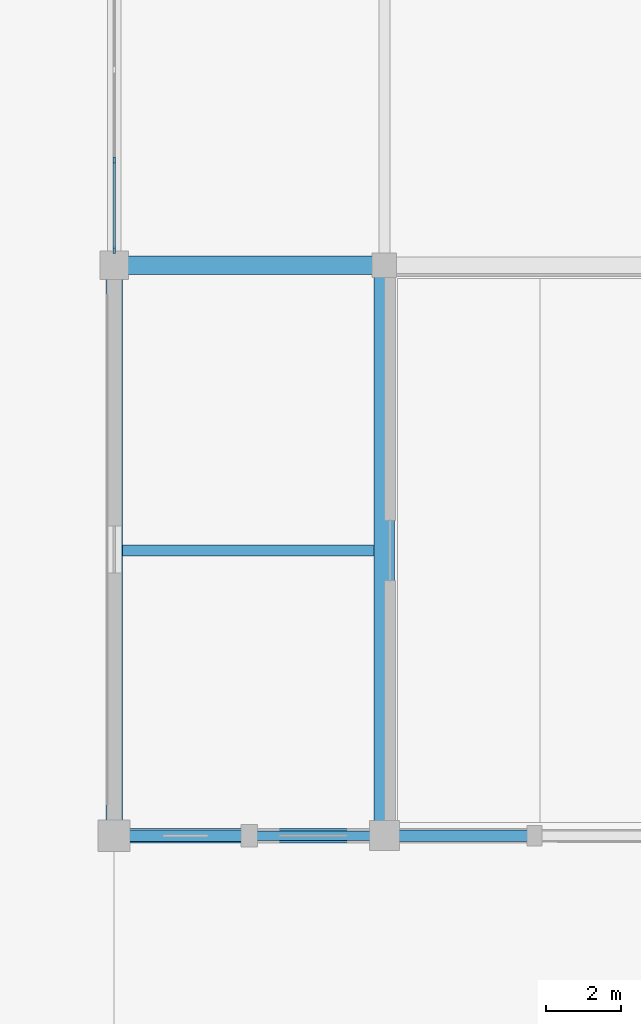
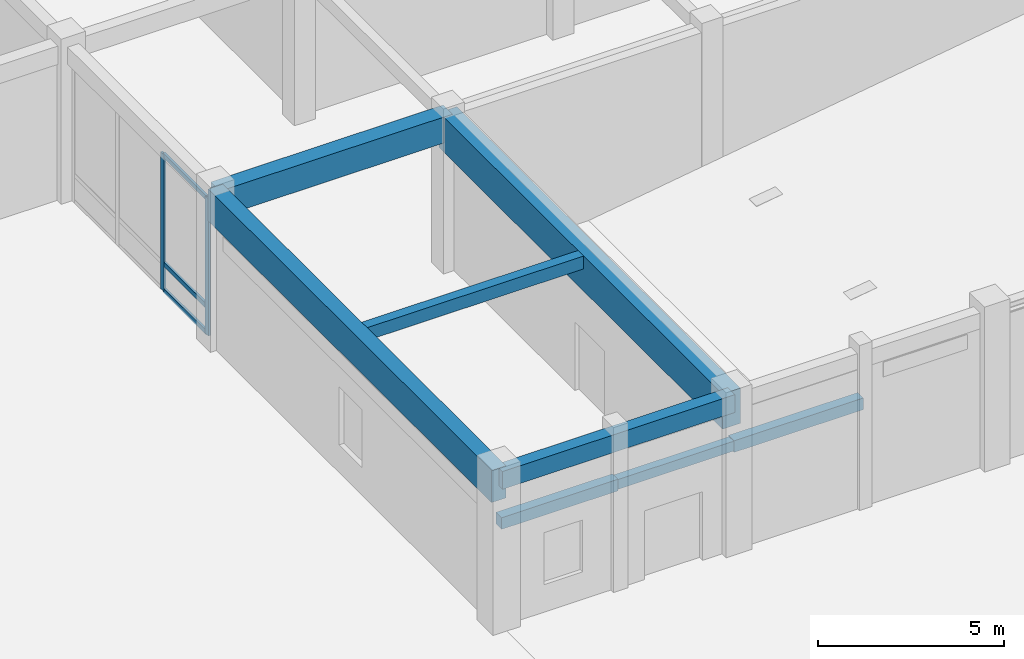
# One storey, part 9 of 40: 8 beams, 5 members, 1 element without a shape of its own.
"""IFC4 building model written with IfcOpenShell, lengths in metres."""

from ifc_helpers import new_model, si_unit, direction, frame, origin, origin_2d, place, context, subcontext, project, spatial, rectangle, extrude, material, material_profile, profile_set, type_object, element, aggregate, save


model = new_model("IFC4")

# Units and contexts
model_context = context("Model", 3, precision=1e-05, world=origin(), true_north=direction((0.0, 1.0)))
body_context = subcontext(model_context, "Body", "Model", "MODEL_VIEW")
ifc_project = project(units=[si_unit("LENGTHUNIT", "METRE"), si_unit("AREAUNIT", "SQUARE_METRE"), si_unit("VOLUMEUNIT", "CUBIC_METRE"), si_unit("PLANEANGLEUNIT", "RADIAN"), si_unit("MASSUNIT", "GRAM", prefix="KILO")], contexts=[model_context])

# Site, building, storey
site_placement = place(None, origin())
site = spatial("IfcSite", under=ifc_project, at=site_placement, CompositionType="ELEMENT")
building_placement = place(site_placement, origin())
building = spatial("IfcBuilding", under=site, at=building_placement, Name="Vellmiral Cinema and Media Centre", CompositionType="ELEMENT")
storey_placement = place(building_placement, origin())
storey = spatial("IfcBuildingStorey", under=building, at=storey_placement, Name="L00", CompositionType="ELEMENT", Elevation=0.0)

# Beams
ifc_material_1 = material(Name="Concrete C40/50", Category="concrete")
ifc_material_profile_1 = material_profile(ifc_material_1, rectangle(XDim=0.5, YDim=0.85009765625, at=origin_2d()), Name="RC 500x850")
ifc_profile_set_1 = profile_set([ifc_material_profile_1], Name="Concrete C40/50")
beam_type_1 = type_object("IfcBeamType", Name="BM-RC-500x850", PredefinedType="BEAM", material=ifc_profile_set_1)
beam_1_placement = place(storey_placement, frame((116.800048828125, 28.0, 4.64990234375), z_axis=(1.0, 0.0, 0.0), x_axis=(0.0, 1.0, 0.0)))
element("IfcBeam", 1, at=beam_1_placement, inside=storey, type_object=beam_type_1, Name="Grid Beam L00-X019", PredefinedType="BEAM", context=body_context, shape_type="SweptSolid", body=[
    extrude(rectangle(XDim=0.5, YDim=0.85009765625, at=origin_2d()), origin(), (0.0, 0.0, 1.0), 7.199951171875),
])
ifc_material_2 = material(Name="Concrete C40/50", Category="concrete")
ifc_material_profile_2 = material_profile(ifc_material_2, rectangle(XDim=0.550048828125, YDim=1.14990234375, at=origin_2d()), Name="RC 550x1150")
ifc_profile_set_2 = profile_set([ifc_material_profile_2], Name="Concrete C40/50")
beam_type_2 = type_object("IfcBeamType", Name="BM-RCG-550x1150", PredefinedType="BEAM", material=ifc_profile_set_2)
beam_2_placement = place(storey_placement, frame((124.0, 12.800048828125, 4.5), z_axis=(0.0, 1.0, 0.0), x_axis=(-1.0, 0.0, 0.0)))
element("IfcBeam", 2, at=beam_2_placement, inside=storey, type_object=beam_type_2, Name="Grid Beam L00-Y312", PredefinedType="BEAM", context=body_context, shape_type="SweptSolid", body=[
    extrude(rectangle(XDim=0.550048828125, YDim=1.14990234375, at=origin_2d()), origin(), (0.0, 0.0, 1.0), 15.199951171875),
])

# Curtain wall, members
ifc_material_3 = material(Name="Thermally Broken Aluminium and Triple Glazing", Category="aluminium")
curtain_wall_type = type_object("IfcCurtainWallType", Name="CW-POD-GALLERY", PredefinedType="USERDEFINED", material=ifc_material_3)
curtain_wall_placement = place(storey_placement, origin())
curtain_wall = element("IfcCurtainWall", 3, at=curtain_wall_placement, inside=storey, type_object=curtain_wall_type, Name="Curtain Wall L00-B019", ObjectType="STICK CURTAIN WALL", PredefinedType="USERDEFINED")
ifc_material_4 = material(Name="Thermally Broken Anodised Aluminium", Category="aluminium")
ifc_material_profile_3 = material_profile(ifc_material_4, rectangle(XDim=0.070068359375, YDim=0.179931640625, at=origin_2d()), Name="MULL 70x180")
ifc_profile_set_3 = profile_set([ifc_material_profile_3], Name="Thermally Broken Anodised Aluminium")
member_type_1 = type_object("IfcMemberType", Name="CWM-70x180", PredefinedType="MULLION", material=ifc_profile_set_3)
member_1_placement = place(storey_placement, frame((116.800048828125, 30.791748046875, 0.0), z_axis=(0.0, 0.0, 1.0), x_axis=(1.0, 0.0, 0.0)))
member_1 = element("IfcMember", 4, at=member_1_placement, type_object=member_type_1, Name="CW-04 mullion 3", PredefinedType="MULLION", context=body_context, shape_type="SweptSolid", body=[
    extrude(rectangle(XDim=0.070068359375, YDim=0.179931640625, at=origin_2d()), origin(), (0.0, 0.0, 1.0), 4.47998046875),
])
member_2_placement = place(storey_placement, frame((116.800048828125, 28.409912109375, 0.0), z_axis=(0.0, 0.0, 1.0), x_axis=(1.0, 0.0, 0.0)))
member_2 = element("IfcMember", 5, at=member_2_placement, type_object=member_type_1, Name="CW-04 mullion 4", PredefinedType="MULLION", context=body_context, shape_type="SweptSolid", body=[
    extrude(rectangle(XDim=0.070068359375, YDim=0.179931640625, at=origin_2d()), origin(), (0.0, 0.0, 1.0), 4.47998046875),
])
ifc_material_5 = material(Name="Thermally Broken Anodised Aluminium", Category="aluminium")
ifc_material_profile_4 = material_profile(ifc_material_5, rectangle(XDim=0.070068359375, YDim=0.14990234375, at=origin_2d()), Name="MULL 70x150")
ifc_profile_set_4 = profile_set([ifc_material_profile_4], Name="Thermally Broken Anodised Aluminium")
member_type_2 = type_object("IfcMemberType", Name="CWT-70x150", PredefinedType="USERDEFINED", material=ifc_profile_set_4)
member_3_placement = place(storey_placement, frame((116.800048828125, 30.756591796875, 0.034912109375), z_axis=(0.0, -1.0, 0.0), x_axis=(1.0, 0.0, 0.0)))
member_3 = element("IfcMember", 6, at=member_3_placement, type_object=member_type_2, Name="CW-04 transom 3.1", ObjectType="TRANSOM", PredefinedType="USERDEFINED", context=body_context, shape_type="SweptSolid", body=[
    extrude(rectangle(XDim=0.070068359375, YDim=0.14990234375, at=origin_2d()), origin(), (0.0, 0.0, 1.0), 2.3115234375),
])
member_4_placement = place(storey_placement, frame((116.800048828125, 30.756591796875, 0.89990234375), z_axis=(0.0, -1.0, 0.0), x_axis=(1.0, 0.0, 0.0)))
member_4 = element("IfcMember", 7, at=member_4_placement, type_object=member_type_2, Name="CW-04 transom 3.2", ObjectType="TRANSOM", PredefinedType="USERDEFINED", context=body_context, shape_type="SweptSolid", body=[
    extrude(rectangle(XDim=0.070068359375, YDim=0.14990234375, at=origin_2d()), origin(), (0.0, 0.0, 1.0), 2.3115234375),
])
member_5_placement = place(storey_placement, frame((116.800048828125, 30.756591796875, 4.445068359375), z_axis=(0.0, -1.0, 0.0), x_axis=(1.0, 0.0, 0.0)))
member_5 = element("IfcMember", 8, at=member_5_placement, type_object=member_type_2, Name="CW-04 transom 3.3", ObjectType="TRANSOM", PredefinedType="USERDEFINED", context=body_context, shape_type="SweptSolid", body=[
    extrude(rectangle(XDim=0.070068359375, YDim=0.14990234375, at=origin_2d()), origin(), (0.0, 0.0, 1.0), 2.3115234375),
])
aggregate(curtain_wall, [member_1, member_2, member_3, member_4, member_5])

# Beams
ifc_material_6 = material(Name="Concrete C40/50", Category="concrete")
ifc_material_profile_5 = material_profile(ifc_material_6, rectangle(XDim=0.300048828125, YDim=0.419921875, at=origin_2d()), Name="RC 300x420")
ifc_profile_set_5 = profile_set([ifc_material_profile_5], Name="Concrete C40/50")
beam_type_3 = type_object("IfcBeamType", Name="JST-RC-300x420", PredefinedType="JOIST", material=ifc_profile_set_5)
beam_3_placement = place(storey_placement, frame((117.02490234375, 20.39990234375, 4.864990234375), z_axis=(1.0, 0.0, 0.0), x_axis=(0.0, 1.0, 0.0)))
element("IfcBeam", 9, at=beam_3_placement, inside=storey, type_object=beam_type_3, Name="Secondary Floor Joist L00-024", PredefinedType="JOIST", context=body_context, shape_type="SweptSolid", body=[
    extrude(rectangle(XDim=0.300048828125, YDim=0.419921875, at=origin_2d()), origin(), (0.0, 0.0, 1.0), 6.7001953125),
])
ifc_material_7 = material(Name="Concrete C40/50", Category="concrete")
ifc_material_profile_6 = material_profile(ifc_material_7, rectangle(XDim=0.25, YDim=0.320068359375, at=origin_2d()), Name="RC 250x320")
ifc_profile_set_6 = profile_set([ifc_material_profile_6], Name="Concrete C40/50")
beam_type_4 = type_object("IfcBeamType", Name="LNT-RC-250x320", PredefinedType="LINTEL", material=ifc_profile_set_6)
beam_4_placement = place(storey_placement, frame((120.39990234375, 12.800048828125, 3.35009765625), z_axis=(1.0, 0.0, 0.0), x_axis=(0.0, 1.0, 0.0)))
element("IfcBeam", 10, at=beam_4_placement, inside=storey, type_object=beam_type_4, Name="Promenade Arcade Lintel L00-08", PredefinedType="LINTEL", context=body_context, shape_type="SweptSolid", body=[
    extrude(rectangle(XDim=0.25, YDim=0.320068359375, at=origin_2d()), origin(), (0.0, 0.0, 1.0), 3.60009765625),
])
ifc_material_8 = material(Name="Vosges Red Sandstone Masonry", Category="masonry")
ifc_material_profile_7 = material_profile(ifc_material_8, rectangle(XDim=0.300048828125, YDim=0.3798828125, at=origin_2d()), Name="SAND 300x380")
ifc_profile_set_7 = profile_set([ifc_material_profile_7], Name="Vosges Red Sandstone Masonry")
beam_type_5 = type_object("IfcBeamType", Name="LNT-SAND-300x380", PredefinedType="LINTEL", material=ifc_profile_set_7)
beam_5_placement = place(storey_placement, frame((116.800048828125, 12.800048828125, 3.35009765625), z_axis=(1.0, 0.0, 0.0), x_axis=(0.0, 1.0, 0.0)))
element("IfcBeam", 11, at=beam_5_placement, inside=storey, type_object=beam_type_5, Name="Promenade Arcade Lintel L00-07", PredefinedType="LINTEL", context=body_context, shape_type="SweptSolid", body=[
    extrude(rectangle(XDim=0.300048828125, YDim=0.3798828125, at=origin_2d()), origin(), (0.0, 0.0, 1.0), 3.599853515625),
])
beam_6_placement = place(storey_placement, frame((124.0, 12.800048828125, 3.35009765625), z_axis=(1.0, 0.0, 0.0), x_axis=(0.0, 1.0, 0.0)))
element("IfcBeam", 12, at=beam_6_placement, inside=storey, type_object=beam_type_5, Name="Promenade Arcade Lintel L00-09", PredefinedType="LINTEL", context=body_context, shape_type="SweptSolid", body=[
    extrude(rectangle(XDim=0.300048828125, YDim=0.3798828125, at=origin_2d()), origin(), (0.0, 0.0, 1.0), 4.0),
])
ifc_material_9 = material(Name="Concrete C40/50", Category="concrete")
ifc_material_profile_8 = material_profile(ifc_material_9, rectangle(XDim=0.449951171875, YDim=1.050048828125, at=origin_2d()), Name="RC 450x1050")
ifc_profile_set_8 = profile_set([ifc_material_profile_8], Name="Concrete C40/50")
beam_type_6 = type_object("IfcBeamType", Name="SPD-RCG-450x1050", PredefinedType="SPANDREL", material=ifc_profile_set_8)
beam_7_placement = place(storey_placement, frame((116.800048828125, 12.800048828125, 4.550048828125), z_axis=(0.0, 1.0, 0.0), x_axis=(-1.0, 0.0, 0.0)))
element("IfcBeam", 13, at=beam_7_placement, inside=storey, type_object=beam_type_6, Name="Grid Beam L00-Y300", PredefinedType="SPANDREL", context=body_context, shape_type="SweptSolid", body=[
    extrude(rectangle(XDim=0.449951171875, YDim=1.050048828125, at=origin_2d()), origin(), (0.0, 0.0, 1.0), 15.199951171875),
])
ifc_material_10 = material(Name="Vosges Red Sandstone Masonry", Category="masonry")
ifc_material_profile_9 = material_profile(ifc_material_10, rectangle(XDim=0.3798828125, YDim=0.580078125, at=origin_2d()), Name="SAND 380x580")
ifc_profile_set_9 = profile_set([ifc_material_profile_9], Name="Vosges Red Sandstone Masonry")
beam_type_7 = type_object("IfcBeamType", Name="SPD-SAND-380x580", PredefinedType="SPANDREL", material=ifc_profile_set_9)
beam_8_placement = place(storey_placement, frame((116.800048828125, 12.800048828125, 4.784912109375), z_axis=(1.0, 0.0, 0.0), x_axis=(0.0, 1.0, 0.0)))
element("IfcBeam", 14, at=beam_8_placement, inside=storey, type_object=beam_type_7, Name="Grid Beam L00-X012", PredefinedType="SPANDREL", context=body_context, shape_type="SweptSolid", body=[
    extrude(rectangle(XDim=0.3798828125, YDim=0.580078125, at=origin_2d()), origin(), (0.0, 0.0, 1.0), 7.199951171875),
])

save(model, "model.ifc")
